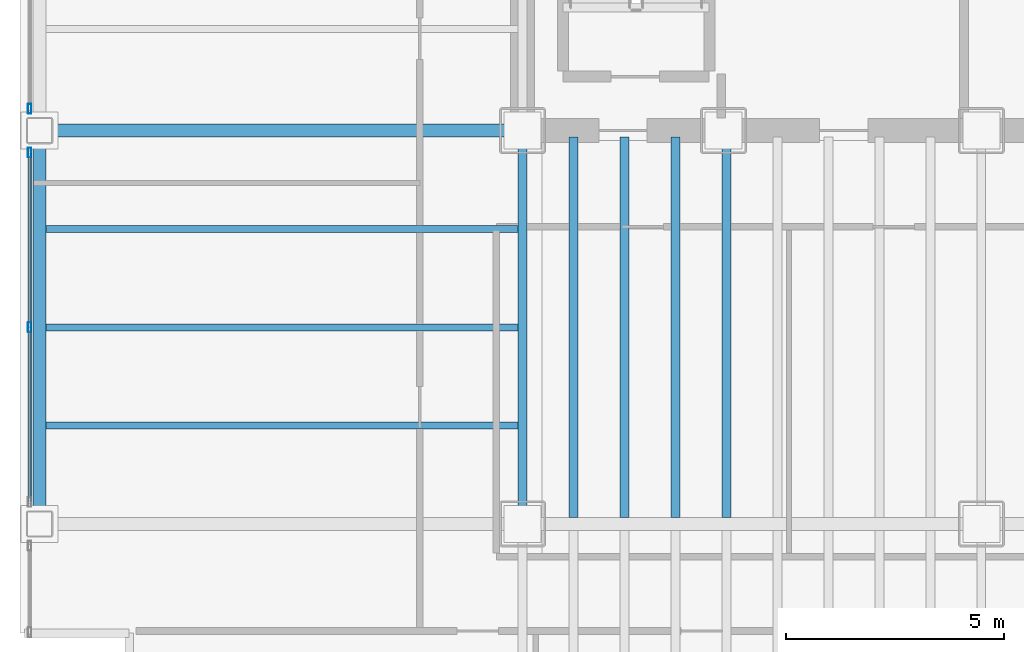
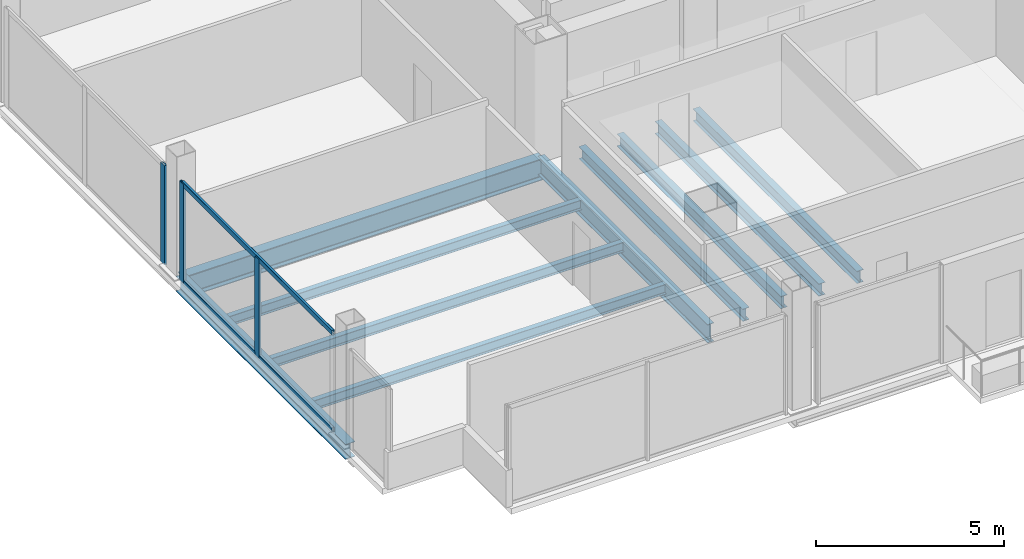
# One storey, part 3 of 21: 10 beams, 5 members, 2 elements without a shape of their own.
"""IFC4 building model written with IfcOpenShell, lengths in metres."""

from ifc_helpers import new_model, si_unit, direction, frame, origin, origin_2d, place, context, subcontext, project, spatial, hollow_rectangle, i_section, extrude, material, material_profile, profile_set, type_object, element, aggregate, save


model = new_model("IFC4")

# Units and contexts
model_context = context("Model", 3, precision=1e-05, world=origin(), true_north=direction((0.0, 1.0)))
body_context = subcontext(model_context, "Body", "Model", "MODEL_VIEW")
ifc_project = project(units=[si_unit("LENGTHUNIT", "METRE"), si_unit("AREAUNIT", "SQUARE_METRE"), si_unit("VOLUMEUNIT", "CUBIC_METRE"), si_unit("PLANEANGLEUNIT", "RADIAN"), si_unit("MASSUNIT", "GRAM", prefix="KILO")], contexts=[model_context])

# Site, building, storey
site_placement = place(None, origin())
site = spatial("IfcSite", under=ifc_project, at=site_placement, CompositionType="ELEMENT")
building_placement = place(site_placement, origin())
building = spatial("IfcBuilding", under=site, at=building_placement, Name="Noeulbin Bourse Tower", CompositionType="ELEMENT")
storey_placement = place(building_placement, frame((0.0, 0.0, 42.10009765625)))
storey = spatial("IfcBuildingStorey", under=building, at=storey_placement, Name="L10", CompositionType="ELEMENT", Elevation=42.10009765625)

# Beams
ifc_material_1 = material(Name="Steel S355", Category="steel")
ifc_material_profile_1 = material_profile(ifc_material_1, i_section(OverallWidth=0.199951171875, OverallDepth=0.60009765625, WebThickness=0.010986328125, FlangeThickness=0.01708984375, FilletRadius=0.02197265625, at=origin_2d()), Name="H-600x200x11x17", Category="LoadBearing")
ifc_profile_set_1 = profile_set([ifc_material_profile_1], Name="Steel S355")
beam_type_1 = type_object("IfcBeamType", Name="BM-GRD-600", PredefinedType="USERDEFINED", material=ifc_profile_set_1)
beam_1_placement = place(storey_placement, frame((13.5, 20.0, -0.47998046875), z_axis=(0.0, 1.0, 0.0), x_axis=(-1.0, 0.0, 0.0)))
element("IfcBeam", 1, at=beam_1_placement, inside=storey, type_object=beam_type_1, Name="Tower Primary Girder NS L10-1.2", ObjectType="GIRDER", PredefinedType="USERDEFINED", context=body_context, shape_type="SweptSolid", body=[
    extrude(i_section(OverallWidth=0.199951171875, OverallDepth=0.60009765625, WebThickness=0.010986328125, FlangeThickness=0.01708984375, FilletRadius=0.02197265625, at=origin_2d()), origin(), (0.0, 0.0, 1.0), 9.0),
])
ifc_material_profile_2 = material_profile(ifc_material_1, i_section(OverallWidth=0.300048828125, OverallDepth=0.699951171875, WebThickness=0.012939453125, FlangeThickness=0.02392578125, FilletRadius=0.02392578125, at=origin_2d()), Name="H-700x300x13x24", Category="LoadBearing")
ifc_profile_set_2 = profile_set([ifc_material_profile_2], Name="Steel S355")
beam_type_2 = type_object("IfcBeamType", Name="BM-GRD-700", PredefinedType="USERDEFINED", material=ifc_profile_set_2)
beam_2_placement = place(storey_placement, frame((2.449951171875, 29.0, -0.530029296875), z_axis=(1.0, 0.0, 0.0), x_axis=(0.0, 1.0, 0.0)))
element("IfcBeam", 2, at=beam_2_placement, inside=storey, type_object=beam_type_2, Name="Tower Primary Girder EW L10-2.1", ObjectType="GIRDER", PredefinedType="USERDEFINED", context=body_context, shape_type="SweptSolid", body=[
    extrude(i_section(OverallWidth=0.300048828125, OverallDepth=0.699951171875, WebThickness=0.012939453125, FlangeThickness=0.02392578125, FilletRadius=0.02392578125, at=origin_2d()), origin(), (0.0, 0.0, 1.0), 11.050048828125),
])
ifc_material_profile_3 = material_profile(ifc_material_1, i_section(OverallWidth=0.159912109375, OverallDepth=0.320068359375, WebThickness=0.006591796875, FlangeThickness=0.010009765625, FilletRadius=0.012939453125, at=origin_2d()), Name="H-320x160x6.5x10", Category="LoadBearing")
ifc_profile_set_3 = profile_set([ifc_material_profile_3], Name="Steel S355")
beam_type_3 = type_object("IfcBeamType", Name="BM-JST-320", PredefinedType="JOIST", material=ifc_profile_set_3)
for number, where, z_axis, x_axis, name in (
    (3, (2.60009765625, 22.25, -0.340087890625), (1.0, 0.0, 0.0), (0.0, 1.0, 0.0), "Wing Composite Joist L10-W70"),
    (4, (2.60009765625, 24.5, -0.340087890625), (1.0, 0.0, 0.0), (0.0, 1.0, 0.0), "Wing Composite Joist L10-W71"),
    (5, (2.60009765625, 26.75, -0.340087890625), (1.0, 0.0, 0.0), (0.0, 1.0, 0.0), "Wing Composite Joist L10-W72"),
):
    element("IfcBeam", number, at=place(storey_placement, frame(where, z_axis=z_axis, x_axis=x_axis)), inside=storey, type_object=beam_type_3, Name=name, PredefinedType="JOIST", context=body_context, shape_type="SweptSolid", body=[
        extrude(i_section(OverallWidth=0.159912109375, OverallDepth=0.320068359375, WebThickness=0.006591796875, FlangeThickness=0.010009765625, FilletRadius=0.012939453125, at=origin_2d()), origin(), (0.0, 0.0, 1.0), 10.7998046875),
    ])
ifc_material_profile_4 = material_profile(ifc_material_1, i_section(OverallWidth=0.199951171875, OverallDepth=0.39990234375, WebThickness=0.008056640625, FlangeThickness=0.012939453125, FilletRadius=0.01611328125, at=origin_2d()), Name="H-400x200x8x13", Category="LoadBearing")
ifc_profile_set_4 = profile_set([ifc_material_profile_4], Name="Steel S355")
beam_type_4 = type_object("IfcBeamType", Name="BM-SEC-400", PredefinedType="BEAM", material=ifc_profile_set_4)
for number, where, z_axis, x_axis, name in (
    (6, (14.666748046875, 20.14990234375, -0.380126953125), (0.0, 1.0, 0.0), (-1.0, 0.0, 0.0), "Tower Composite Joist L10-02"),
    (7, (15.833251953125, 20.14990234375, -0.380126953125), (0.0, 1.0, 0.0), (-1.0, 0.0, 0.0), "Tower Composite Joist L10-05"),
    (8, (17.0, 20.14990234375, -0.380126953125), (0.0, 1.0, 0.0), (-1.0, 0.0, 0.0), "Tower Composite Joist L10-08"),
    (9, (18.166748046875, 20.14990234375, -0.380126953125), (0.0, 1.0, 0.0), (-1.0, 0.0, 0.0), "Tower Composite Joist L10-11"),
):
    element("IfcBeam", number, at=place(storey_placement, frame(where, z_axis=z_axis, x_axis=x_axis)), inside=storey, type_object=beam_type_4, Name=name, PredefinedType="BEAM", context=body_context, shape_type="SweptSolid", body=[
        extrude(i_section(OverallWidth=0.199951171875, OverallDepth=0.39990234375, WebThickness=0.008056640625, FlangeThickness=0.012939453125, FilletRadius=0.01611328125, at=origin_2d()), origin(), (0.0, 0.0, 1.0), 8.7001953125),
    ])
ifc_material_profile_5 = material_profile(ifc_material_1, i_section(OverallWidth=0.300048828125, OverallDepth=0.488037109375, WebThickness=0.010986328125, FlangeThickness=0.01806640625, FilletRadius=0.02197265625, at=origin_2d()), Name="H-488x300x11x18", Category="LoadBearing")
ifc_profile_set_5 = profile_set([ifc_material_profile_5], Name="Steel S355")
beam_type_5 = type_object("IfcBeamType", Name="BM-SPN-488", PredefinedType="SPANDREL", material=ifc_profile_set_5)
beam_3_placement = place(storey_placement, frame((2.449951171875, 20.0, -0.424072265625), z_axis=(0.0, 1.0, 0.0), x_axis=(-1.0, 0.0, 0.0)))
element("IfcBeam", 10, at=beam_3_placement, inside=storey, type_object=beam_type_5, Name="West Spandrel L10-1", PredefinedType="SPANDREL", context=body_context, shape_type="SweptSolid", body=[
    extrude(i_section(OverallWidth=0.300048828125, OverallDepth=0.488037109375, WebThickness=0.010986328125, FlangeThickness=0.01806640625, FilletRadius=0.02197265625, at=origin_2d()), origin(), (0.0, 0.0, 1.0), 9.0),
])

# Curtain wall, members
ifc_material_2 = material(Name="Dark Solar-Control Double Glazing", Category="glass")
curtain_wall_type = type_object("IfcCurtainWallType", Name="CW-SYS-2", PredefinedType="NOTDEFINED", material=ifc_material_2)
curtain_wall_1_placement = place(storey_placement, origin())
curtain_wall_1 = element("IfcCurtainWall", 11, at=curtain_wall_1_placement, inside=storey, type_object=curtain_wall_type, Name="Unitised Curtain Wall CW-L10-W-S2", PredefinedType="NOTDEFINED")
ifc_material_3 = material(Name="Anodised Aluminium 6063-T6", Category="aluminium")
ifc_material_profile_6 = material_profile(ifc_material_3, hollow_rectangle(XDim=0.074951171875, YDim=0.219970703125, WallThickness=0.0048828125, InnerFilletRadius=0.00244140625, OuterFilletRadius=0.0048828125, at=origin_2d()), Name="ALU-MULL-75x220x5", Category="LoadBearing")
ifc_profile_set_6 = profile_set([ifc_material_profile_6], Name="Anodised Aluminium 6063-T6")
member_type_1 = type_object("IfcMemberType", Name="CW-SYS-2-MUL", PredefinedType="MULLION", material=ifc_profile_set_6)
member_1_placement = place(storey_placement, frame((2.219970703125, 24.5, -0.02001953125), z_axis=(0.0, 0.0, 1.0), x_axis=(1.0, 0.0, 0.0)))
member_1 = element("IfcMember", 12, at=member_1_placement, type_object=member_type_1, Name="Curtain Wall Mullion CW-L10-W-S2-M01", PredefinedType="MULLION", context=body_context, shape_type="SweptSolid", body=[
    extrude(hollow_rectangle(XDim=0.074951171875, YDim=0.219970703125, WallThickness=0.0048828125, InnerFilletRadius=0.00244140625, OuterFilletRadius=0.0048828125, at=origin_2d()), origin(), (0.0, 0.0, 1.0), 3.219970703125),
])
member_2_placement = place(storey_placement, frame((2.219970703125, 28.5, -0.02001953125), z_axis=(0.0, 0.0, 1.0), x_axis=(1.0, 0.0, 0.0)))
member_2 = element("IfcMember", 13, at=member_2_placement, type_object=member_type_1, Name="Curtain Wall Mullion CW-L10-W-S2-M02", PredefinedType="MULLION", context=body_context, shape_type="SweptSolid", body=[
    extrude(hollow_rectangle(XDim=0.074951171875, YDim=0.219970703125, WallThickness=0.0048828125, InnerFilletRadius=0.00244140625, OuterFilletRadius=0.0048828125, at=origin_2d()), origin(), (0.0, 0.0, 1.0), 3.219970703125),
])

# Curtain wall, member
curtain_wall_2_placement = place(storey_placement, origin())
curtain_wall_2 = element("IfcCurtainWall", 14, at=curtain_wall_2_placement, inside=storey, type_object=curtain_wall_type, Name="Unitised Curtain Wall CW-L10-W-S3", PredefinedType="NOTDEFINED")
member_3_placement = place(storey_placement, frame((2.219970703125, 29.5, -0.02001953125), z_axis=(0.0, 0.0, 1.0), x_axis=(1.0, 0.0, 0.0)))
member_3 = element("IfcMember", 15, at=member_3_placement, type_object=member_type_1, Name="Curtain Wall Mullion CW-L10-W-S3-M00", PredefinedType="MULLION", context=body_context, shape_type="SweptSolid", body=[
    extrude(hollow_rectangle(XDim=0.074951171875, YDim=0.219970703125, WallThickness=0.0048828125, InnerFilletRadius=0.00244140625, OuterFilletRadius=0.0048828125, at=origin_2d()), origin(), (0.0, 0.0, 1.0), 3.219970703125),
])
aggregate(curtain_wall_2, [member_3])

# Member
ifc_material_profile_7 = material_profile(ifc_material_3, hollow_rectangle(XDim=0.074951171875, YDim=0.159912109375, WallThickness=0.0048828125, InnerFilletRadius=0.00244140625, OuterFilletRadius=0.0048828125, at=origin_2d()), Name="ALU-TRAN-75x160x5", Category="LoadBearing")
ifc_profile_set_7 = profile_set([ifc_material_profile_7], Name="Anodised Aluminium 6063-T6")
member_type_2 = type_object("IfcMemberType", Name="CW-SYS-2-TRN", PredefinedType="USERDEFINED", material=ifc_profile_set_7)
member_4_placement = place(storey_placement, frame((2.219970703125, 20.510009765625, 0.010009765625), z_axis=(0.0, 1.0, 0.0), x_axis=(-1.0, 0.0, 0.0)))
member_4 = element("IfcMember", 16, at=member_4_placement, type_object=member_type_2, Name="Curtain Wall Transom CW-L10-W-S2-T00", ObjectType="TRANSOM", PredefinedType="USERDEFINED", context=body_context, shape_type="SweptSolid", body=[
    extrude(hollow_rectangle(XDim=0.074951171875, YDim=0.159912109375, WallThickness=0.0048828125, InnerFilletRadius=0.00244140625, OuterFilletRadius=0.0048828125, at=origin_2d()), origin(), (0.0, 0.0, 1.0), 7.97998046875),
])

member_5_placement = place(storey_placement, frame((2.219970703125, 20.510009765625, 3.169921875), z_axis=(0.0, 1.0, 0.0), x_axis=(-1.0, 0.0, 0.0)))
member_5 = element("IfcMember", 17, at=member_5_placement, type_object=member_type_2, Name="Curtain Wall Transom CW-L10-W-S2-T01", ObjectType="TRANSOM", PredefinedType="USERDEFINED", context=body_context, shape_type="SweptSolid", body=[
    extrude(hollow_rectangle(XDim=0.074951171875, YDim=0.159912109375, WallThickness=0.0048828125, InnerFilletRadius=0.00244140625, OuterFilletRadius=0.0048828125, at=origin_2d()), origin(), (0.0, 0.0, 1.0), 7.97998046875),
])

aggregate(curtain_wall_1, [member_1, member_2, member_4, member_5])

save(model, "model.ifc")
